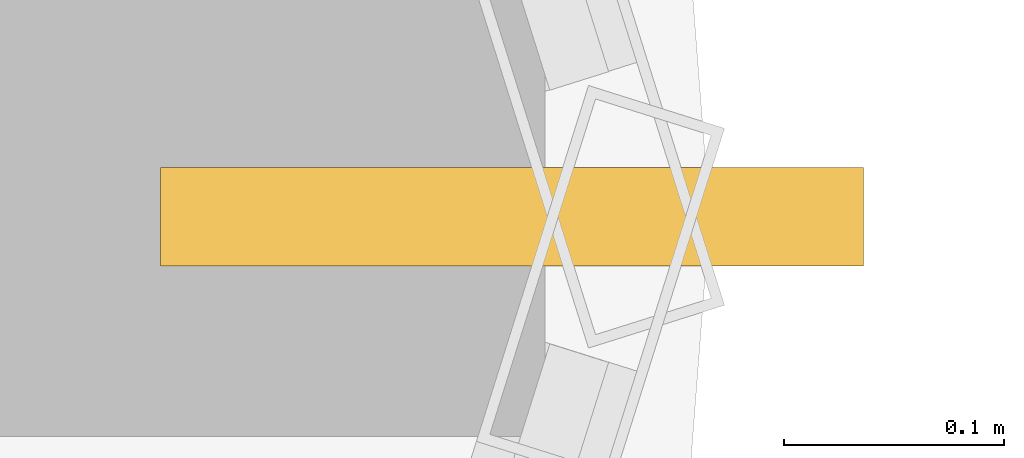
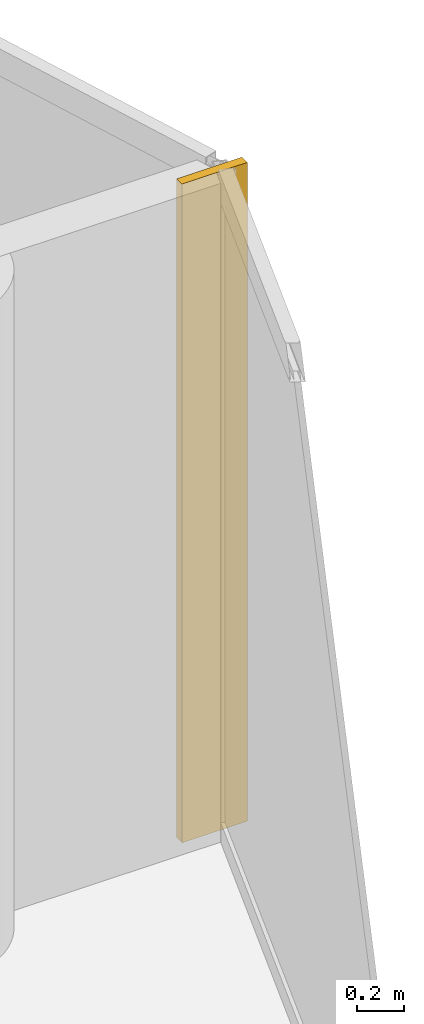
# One storey, part 28 of 28: 1 shading device.
"""IFC4 building model written with IfcOpenShell, lengths in metres."""

from ifc_helpers import new_model, si_unit, direction, frame, origin, origin_2d, place, context, subcontext, project, spatial, rectangle, extrude, material, layer, layer_set, type_object, element, save


model = new_model("IFC4")

# Units and contexts
model_context = context("Model", 3, precision=1e-05, world=origin(), true_north=direction((0.0, 1.0)))
body_context = subcontext(model_context, "Body", "Model", "MODEL_VIEW")
ifc_project = project(units=[si_unit("LENGTHUNIT", "METRE"), si_unit("AREAUNIT", "SQUARE_METRE"), si_unit("VOLUMEUNIT", "CUBIC_METRE"), si_unit("PLANEANGLEUNIT", "RADIAN"), si_unit("MASSUNIT", "GRAM", prefix="KILO")], contexts=[model_context])

# Site, building, storey
site_placement = place(None, origin())
site = spatial("IfcSite", under=ifc_project, at=site_placement, CompositionType="ELEMENT")
building_placement = place(site_placement, origin())
building = spatial("IfcBuilding", under=site, at=building_placement, Name="Nuhasar Tower", CompositionType="ELEMENT")
storey_placement = place(building_placement, frame((0.0, 0.0, 222.75)))
storey = spatial("IfcBuildingStorey", under=building, at=storey_placement, Name="L54", CompositionType="ELEMENT", Elevation=222.75)

# Shading device
ifc_material = material(Name="Aluminium 6063-T6", Category="aluminium")
ifc_layer = layer(ifc_material, 0.044921875)
ifc_layer_set = layer_set([ifc_layer], Name="Aluminium 6063-T6")
shading_device_type = type_object("IfcShadingDeviceType", Name="SHD-FIN-320", PredefinedType="JALOUSIE", material=ifc_layer_set)
shading_device_placement = place(storey_placement, frame((61.7099609375, 26.800048828125, 0.0), z_axis=(0.0, 0.0, 1.0), x_axis=(1.0, 0.0, 0.0)))
element("IfcShadingDevice", 1, at=shading_device_placement, inside=storey, type_object=shading_device_type, Name="L54 Solar Mashrabiya Fin 01", PredefinedType="JALOUSIE", context=body_context, shape_type="SweptSolid", body=[
    extrude(rectangle(XDim=0.320068359375, YDim=0.044921875, at=origin_2d()), origin(), (0.0, 0.0, 1.0), 3.409912109375),
])

save(model, "model.ifc")
